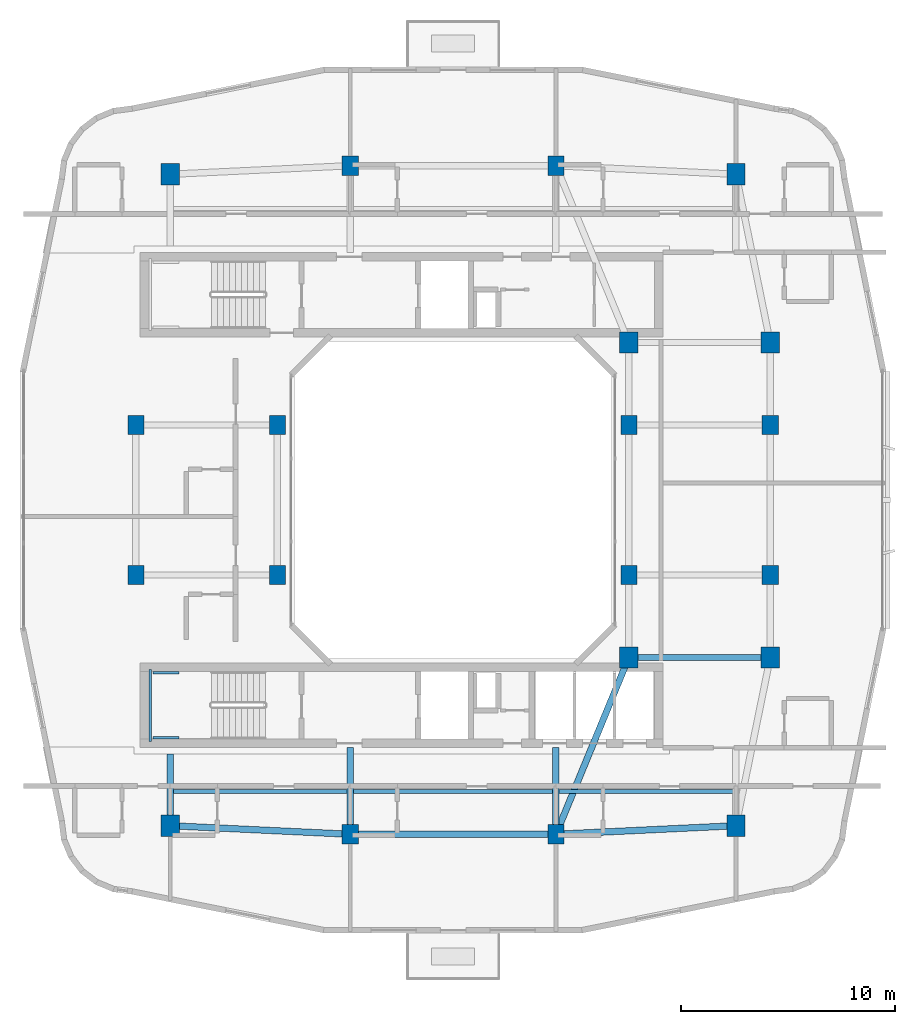
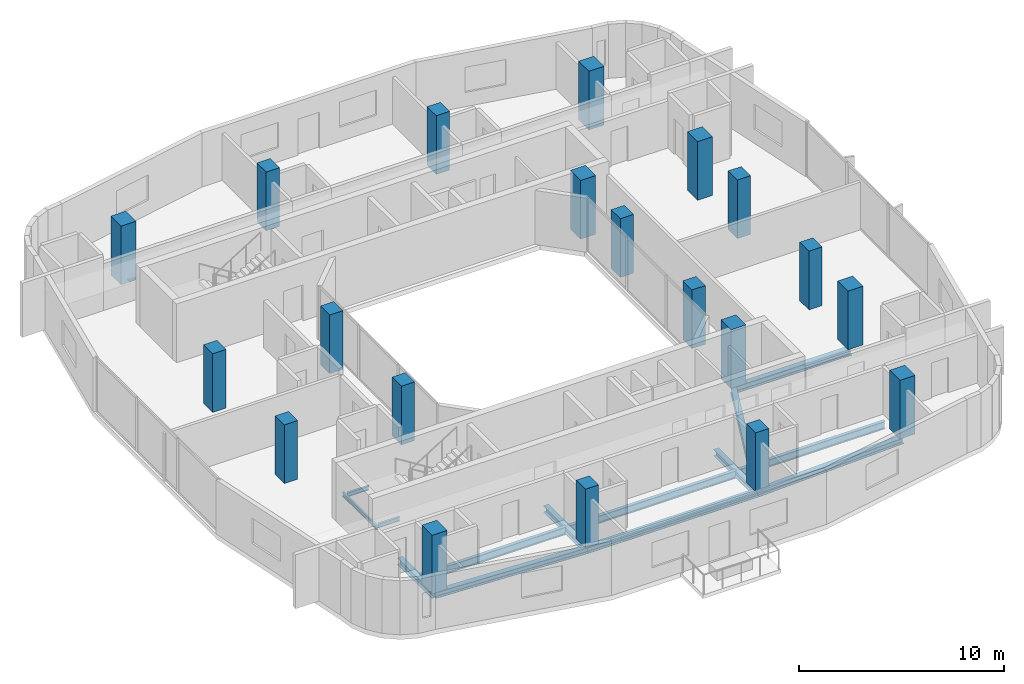
# One storey, part 1 of 13: 20 columns, 14 beams.
"""IFC4 building model written with IfcOpenShell, lengths in metres."""

from ifc_helpers import new_model, si_unit, derived_unit, direction, frame, origin, origin_2d, place, context, subcontext, project, spatial, rectangle, i_section, extrude, material, material_profile, profile_set, type_object, element, save


model = new_model("IFC4")

# Units and contexts
model_context = context("Model", 3, precision=1e-05, world=origin(), true_north=direction((0.0, 1.0)))
body_context = subcontext(model_context, "Body", "Model", "MODEL_VIEW")
ifc_project = project(units=[si_unit("LENGTHUNIT", "METRE"), si_unit("AREAUNIT", "SQUARE_METRE"), si_unit("VOLUMEUNIT", "CUBIC_METRE"), si_unit("PLANEANGLEUNIT", "RADIAN"), si_unit("MASSUNIT", "GRAM", prefix="KILO"), derived_unit("THERMALTRANSMITTANCEUNIT", [(si_unit("POWERUNIT", "WATT"), 1), (si_unit("LENGTHUNIT", "METRE"), -2), (si_unit("THERMODYNAMICTEMPERATUREUNIT", "KELVIN"), -1)])], contexts=[model_context])

# Site, building, storey
site_placement = place(None, origin())
site = spatial("IfcSite", under=ifc_project, at=site_placement, CompositionType="ELEMENT")
building_placement = place(site_placement, origin())
building = spatial("IfcBuilding", under=site, at=building_placement, Name="Kivonza Crest Hotel", CompositionType="ELEMENT")
storey_placement = place(building_placement, frame((0.0, 0.0, 155.5)))
storey = spatial("IfcBuildingStorey", under=building, at=storey_placement, Name="L42", CompositionType="ELEMENT", Elevation=155.5)

# Columns
ifc_material_1 = material(Name="Concrete C50/60", Category="concrete")
ifc_material_profile_1 = material_profile(ifc_material_1, rectangle(XDim=0.85009765625, YDim=1.0, at=origin_2d()), Name="RC 1000x850")
ifc_profile_set_1 = profile_set([ifc_material_profile_1], Name="Concrete C50/60")
column_type_1 = type_object("IfcColumnType", Name="CL-RC-1000x850", PredefinedType="COLUMN", material=ifc_profile_set_1)
for number, where, z_axis, x_axis, name in (
    (1, (7.800048828125, 9.800048828125, 0.0), (0.0, 0.0, 1.0), (1.0, 0.0, 0.0), "Tower T1 L42 column SW"),
    (2, (34.199951171875, 9.800048828125, 0.0), (0.0, 0.0, 1.0), (1.0, 0.0, 0.0), "Tower T1 L42 column SE"),
    (3, (34.199951171875, 40.199951171875, 0.0), (0.0, 0.0, 1.0), (1.0, 0.0, 0.0), "Tower T1 L42 column NE"),
    (4, (7.800048828125, 40.199951171875, 0.0), (0.0, 0.0, 1.0), (1.0, 0.0, 0.0), "Tower T1 L42 column NW"),
    (5, (35.800048828125, 17.64990234375, 0.0), (0.0, 0.0, 1.0), (1.0, 0.0, 0.0), "Tower T1 L42 column PSE"),
    (6, (35.800048828125, 32.35009765625, 0.0), (0.0, 0.0, 1.0), (1.0, 0.0, 0.0), "Tower T1 L42 column PNE"),
    (7, (29.199951171875, 17.64990234375, 0.0), (0.0, 0.0, 1.0), (1.0, 0.0, 0.0), "Tower T1 L42 column TSE"),
    (8, (29.199951171875, 32.35009765625, 0.0), (0.0, 0.0, 1.0), (1.0, 0.0, 0.0), "Tower T1 L42 column TNE"),
):
    element("IfcColumn", number, at=place(storey_placement, frame(where, z_axis=z_axis, x_axis=x_axis)), inside=storey, type_object=column_type_1, Name=name, PredefinedType="COLUMN", context=body_context, shape_type="SweptSolid", body=[
        extrude(rectangle(XDim=0.85009765625, YDim=1.0, at=origin_2d()), origin(), (0.0, 0.0, 1.0), 3.5),
    ])
ifc_material_profile_2 = material_profile(ifc_material_1, rectangle(XDim=0.75, YDim=0.89990234375, at=origin_2d()), Name="RC 900x750")
ifc_profile_set_2 = profile_set([ifc_material_profile_2], Name="Concrete C50/60")
column_type_2 = type_object("IfcColumnType", Name="CL-RC-900x750", PredefinedType="COLUMN", material=ifc_profile_set_2)
for number, where, z_axis, x_axis, name in (
    (9, (16.199951171875, 9.39990234375, 0.0), (0.0, 0.0, 1.0), (1.0, 0.0, 0.0), "Tower T1 L42 column S1"),
    (10, (25.800048828125, 9.39990234375, 0.0), (0.0, 0.0, 1.0), (1.0, 0.0, 0.0), "Tower T1 L42 column S2"),
    (11, (16.199951171875, 40.60009765625, 0.0), (0.0, 0.0, 1.0), (1.0, 0.0, 0.0), "Tower T1 L42 column N1"),
    (12, (25.800048828125, 40.60009765625, 0.0), (0.0, 0.0, 1.0), (1.0, 0.0, 0.0), "Tower T1 L42 column N2"),
    (13, (6.199951171875, 21.5, 0.0), (0.0, 0.0, 1.0), (1.0, 0.0, 0.0), "Tower T1 L42 column W1"),
    (14, (6.199951171875, 28.5, 0.0), (0.0, 0.0, 1.0), (1.0, 0.0, 0.0), "Tower T1 L42 column W2"),
    (15, (35.800048828125, 21.5, 0.0), (0.0, 0.0, 1.0), (1.0, 0.0, 0.0), "Tower T1 L42 column E1"),
    (16, (35.800048828125, 28.5, 0.0), (0.0, 0.0, 1.0), (1.0, 0.0, 0.0), "Tower T1 L42 column E2"),
    (17, (12.800048828125, 21.5, 0.0), (0.0, 0.0, 1.0), (1.0, 0.0, 0.0), "Tower T1 L42 column WL1"),
    (18, (12.800048828125, 28.5, 0.0), (0.0, 0.0, 1.0), (1.0, 0.0, 0.0), "Tower T1 L42 column WL2"),
    (19, (29.199951171875, 21.5, 0.0), (0.0, 0.0, 1.0), (1.0, 0.0, 0.0), "Tower T1 L42 column WR1"),
    (20, (29.199951171875, 28.5, 0.0), (0.0, 0.0, 1.0), (1.0, 0.0, 0.0), "Tower T1 L42 column WR2"),
):
    element("IfcColumn", number, at=place(storey_placement, frame(where, z_axis=z_axis, x_axis=x_axis)), inside=storey, type_object=column_type_2, Name=name, PredefinedType="COLUMN", context=body_context, shape_type="SweptSolid", body=[
        extrude(rectangle(XDim=0.75, YDim=0.89990234375, at=origin_2d()), origin(), (0.0, 0.0, 1.0), 3.5),
    ])

# Beams
ifc_material_2 = material(Name="Steel S355", Category="steel")
ifc_material_profile_3 = material_profile(ifc_material_2, i_section(OverallWidth=0.300048828125, OverallDepth=0.360107421875, WebThickness=0.012451171875, FlangeThickness=0.0224609375, FilletRadius=0.027099609375, at=origin_2d()), Name="HEB 360")
ifc_profile_set_3 = profile_set([ifc_material_profile_3], Name="Steel S355")
beam_type_1 = type_object("IfcBeamType", Name="BM-HEB360", PredefinedType="SPANDREL", material=ifc_profile_set_3)
beam_1_placement = place(storey_placement, frame((16.199951171875, 9.39990234375, -0.4599609375), z_axis=(1.0, 0.0, 0.0), x_axis=(0.0, 1.0, 0.0)))
element("IfcBeam", 21, at=beam_1_placement, inside=storey, type_object=beam_type_1, Name="Tower T1 L42 perimeter spandrel S1-S2", PredefinedType="SPANDREL", context=body_context, shape_type="SweptSolid", body=[
    extrude(i_section(OverallWidth=0.300048828125, OverallDepth=0.360107421875, WebThickness=0.012451171875, FlangeThickness=0.0224609375, FilletRadius=0.027099609375, at=origin_2d()), origin(), (0.0, 0.0, 1.0), 9.60009765625),
])
for number, where, z_axis, x_axis, name in (
    (22, (25.800048828125, 9.39990234375, -0.4599609375), (0.998867283688, 0.047583080799, 0.0), (-0.047583080799, 0.998867283688, 0.0), "Tower T1 L42 perimeter spandrel S2-SE"),
    (23, (7.800048828125, 9.800048828125, -0.4599609375), (0.998867283688, -0.047583080799, 0.0), (0.047583080799, 0.998867283688, 0.0), "Tower T1 L42 perimeter spandrel SW-S1"),
):
    element("IfcBeam", number, at=place(storey_placement, frame(where, z_axis=z_axis, x_axis=x_axis)), inside=storey, type_object=beam_type_1, Name=name, PredefinedType="SPANDREL", context=body_context, shape_type="SweptSolid", body=[
        extrude(i_section(OverallWidth=0.300048828125, OverallDepth=0.360107421875, WebThickness=0.012451171875, FlangeThickness=0.0224609375, FilletRadius=0.027099609375, at=origin_2d()), origin(), (0.0, 0.0, 1.0), 8.409423828125),
    ])
ifc_material_profile_4 = material_profile(ifc_material_2, i_section(OverallWidth=0.300048828125, OverallDepth=0.39990234375, WebThickness=0.013427734375, FlangeThickness=0.02392578125, FilletRadius=0.027099609375, at=origin_2d()), Name="HEB 400")
ifc_profile_set_4 = profile_set([ifc_material_profile_4], Name="Steel S355")
beam_type_2 = type_object("IfcBeamType", Name="BM-HEB400", PredefinedType="BEAM", material=ifc_profile_set_4)
beam_2_placement = place(storey_placement, frame((25.800048828125, 9.39990234375, -0.47998046875), z_axis=(0.381022260404, 0.924565864109, 0.0), x_axis=(-0.924565864109, 0.381022260404, 0.0)))
element("IfcBeam", 24, at=beam_2_placement, inside=storey, type_object=beam_type_2, Name="Tower T1 L42 primary girder S1-TSE", PredefinedType="BEAM", context=body_context, shape_type="SweptSolid", body=[
    extrude(i_section(OverallWidth=0.300048828125, OverallDepth=0.39990234375, WebThickness=0.013427734375, FlangeThickness=0.02392578125, FilletRadius=0.027099609375, at=origin_2d()), origin(), (0.0, 0.0, 1.0), 8.923095703125),
])
beam_3_placement = place(storey_placement, frame((29.199951171875, 17.64990234375, -0.47998046875), z_axis=(1.0, 0.0, 0.0), x_axis=(0.0, 1.0, 0.0)))
element("IfcBeam", 25, at=beam_3_placement, inside=storey, type_object=beam_type_2, Name="Tower T1 L42 primary girder TSE-PSE", PredefinedType="BEAM", context=body_context, shape_type="SweptSolid", body=[
    extrude(i_section(OverallWidth=0.300048828125, OverallDepth=0.39990234375, WebThickness=0.013427734375, FlangeThickness=0.02392578125, FilletRadius=0.027099609375, at=origin_2d()), origin(), (0.0, 0.0, 1.0), 6.60009765625),
])
beam_4_placement = place(storey_placement, frame((7.800048828125, 9.800048828125, -0.47998046875), z_axis=(0.0, 1.0, 0.0), x_axis=(-1.0, 0.0, 0.0)))
element("IfcBeam", 26, at=beam_4_placement, inside=storey, type_object=beam_type_2, Name="Tower T1 L42 radial core girder RSW", PredefinedType="BEAM", context=body_context, shape_type="SweptSolid", body=[
    extrude(i_section(OverallWidth=0.300048828125, OverallDepth=0.39990234375, WebThickness=0.013427734375, FlangeThickness=0.02392578125, FilletRadius=0.027099609375, at=origin_2d()), origin(), (0.0, 0.0, 1.0), 3.349853515625),
])
for number, where, z_axis, x_axis, name in (
    (27, (16.199951171875, 9.39990234375, -0.47998046875), (0.0, 1.0, 0.0), (-1.0, 0.0, 0.0), "Tower T1 L42 radial core girder RS1"),
    (28, (25.800048828125, 9.39990234375, -0.47998046875), (0.0, 1.0, 0.0), (-1.0, 0.0, 0.0), "Tower T1 L42 radial core girder RS2"),
):
    element("IfcBeam", number, at=place(storey_placement, frame(where, z_axis=z_axis, x_axis=x_axis)), inside=storey, type_object=beam_type_2, Name=name, PredefinedType="BEAM", context=body_context, shape_type="SweptSolid", body=[
        extrude(i_section(OverallWidth=0.300048828125, OverallDepth=0.39990234375, WebThickness=0.013427734375, FlangeThickness=0.02392578125, FilletRadius=0.027099609375, at=origin_2d()), origin(), (0.0, 0.0, 1.0), 4.050048828125),
    ])
ifc_material_profile_5 = material_profile(ifc_material_2, i_section(OverallWidth=0.18994140625, OverallDepth=0.449951171875, WebThickness=0.009521484375, FlangeThickness=0.0146484375, FilletRadius=0.02099609375, at=origin_2d()), Name="IPE 450")
ifc_profile_set_5 = profile_set([ifc_material_profile_5], Name="Steel S355")
beam_type_3 = type_object("IfcBeamType", Name="BM-IPE450", PredefinedType="JOIST", material=ifc_profile_set_5)
beam_5_placement = place(storey_placement, frame((7.8798828125, 11.39990234375, -0.5048828125), z_axis=(1.0, 0.0, 0.0), x_axis=(0.0, 1.0, 0.0)))
element("IfcBeam", 29, at=beam_5_placement, inside=storey, type_object=beam_type_3, Name="Tower T1 L42 South-West floor joist", PredefinedType="JOIST", context=body_context, shape_type="SweptSolid", body=[
    extrude(i_section(OverallWidth=0.18994140625, OverallDepth=0.449951171875, WebThickness=0.009521484375, FlangeThickness=0.0146484375, FilletRadius=0.02099609375, at=origin_2d()), origin(), (0.0, 0.0, 1.0), 8.240234375),
])
beam_6_placement = place(storey_placement, frame((16.280029296875, 11.39990234375, -0.5048828125), z_axis=(1.0, 0.0, 0.0), x_axis=(0.0, 1.0, 0.0)))
element("IfcBeam", 30, at=beam_6_placement, inside=storey, type_object=beam_type_3, Name="Tower T1 L42 South-Mid floor joist", PredefinedType="JOIST", context=body_context, shape_type="SweptSolid", body=[
    extrude(i_section(OverallWidth=0.18994140625, OverallDepth=0.449951171875, WebThickness=0.009521484375, FlangeThickness=0.0146484375, FilletRadius=0.02099609375, at=origin_2d()), origin(), (0.0, 0.0, 1.0), 9.43994140625),
])
beam_7_placement = place(storey_placement, frame((25.8798828125, 11.39990234375, -0.5048828125), z_axis=(1.0, 0.0, 0.0), x_axis=(0.0, 1.0, 0.0)))
element("IfcBeam", 31, at=beam_7_placement, inside=storey, type_object=beam_type_3, Name="Tower T1 L42 South-East floor joist", PredefinedType="JOIST", context=body_context, shape_type="SweptSolid", body=[
    extrude(i_section(OverallWidth=0.18994140625, OverallDepth=0.449951171875, WebThickness=0.009521484375, FlangeThickness=0.0146484375, FilletRadius=0.02099609375, at=origin_2d()), origin(), (0.0, 0.0, 1.0), 8.240234375),
])
ifc_material_profile_6 = material_profile(ifc_material_2, i_section(OverallWidth=0.1201171875, OverallDepth=0.239990234375, WebThickness=0.006103515625, FlangeThickness=0.009765625, FilletRadius=0.014892578125, at=origin_2d()), Name="IPE 240")
ifc_profile_set_6 = profile_set([ifc_material_profile_6], Name="Steel S355")
beam_type_4 = type_object("IfcBeamType", Name="BM-LLDG-240", PredefinedType="BEAM", material=ifc_profile_set_6)
beam_8_placement = place(storey_placement, frame((6.860107421875, 13.739990234375, 1.429931640625), z_axis=(0.0, 1.0, 0.0), x_axis=(-1.0, 0.0, 0.0)))
element("IfcBeam", 32, at=beam_8_placement, inside=storey, type_object=beam_type_4, Name="Stair ST-T1-S L42 West landing corbel", PredefinedType="BEAM", context=body_context, shape_type="SweptSolid", body=[
    extrude(i_section(OverallWidth=0.1201171875, OverallDepth=0.239990234375, WebThickness=0.006103515625, FlangeThickness=0.009765625, FilletRadius=0.014892578125, at=origin_2d()), origin(), (0.0, 0.0, 1.0), 3.360107421875),
])
for number, where, z_axis, x_axis, name in (
    (33, (6.989990234375, 13.89990234375, 1.429931640625), (1.0, 0.0, 0.0), (0.0, 1.0, 0.0), "Stair ST-T1-S L42 South landing corbel"),
    (34, (6.989990234375, 16.93994140625, 1.429931640625), (1.0, 0.0, 0.0), (0.0, 1.0, 0.0), "Stair ST-T1-S L42 North landing corbel"),
):
    element("IfcBeam", number, at=place(storey_placement, frame(where, z_axis=z_axis, x_axis=x_axis)), inside=storey, type_object=beam_type_4, Name=name, PredefinedType="BEAM", context=body_context, shape_type="SweptSolid", body=[
        extrude(i_section(OverallWidth=0.1201171875, OverallDepth=0.239990234375, WebThickness=0.006103515625, FlangeThickness=0.009765625, FilletRadius=0.014892578125, at=origin_2d()), origin(), (0.0, 0.0, 1.0), 1.2099609375),
    ])

save(model, "model.ifc")
